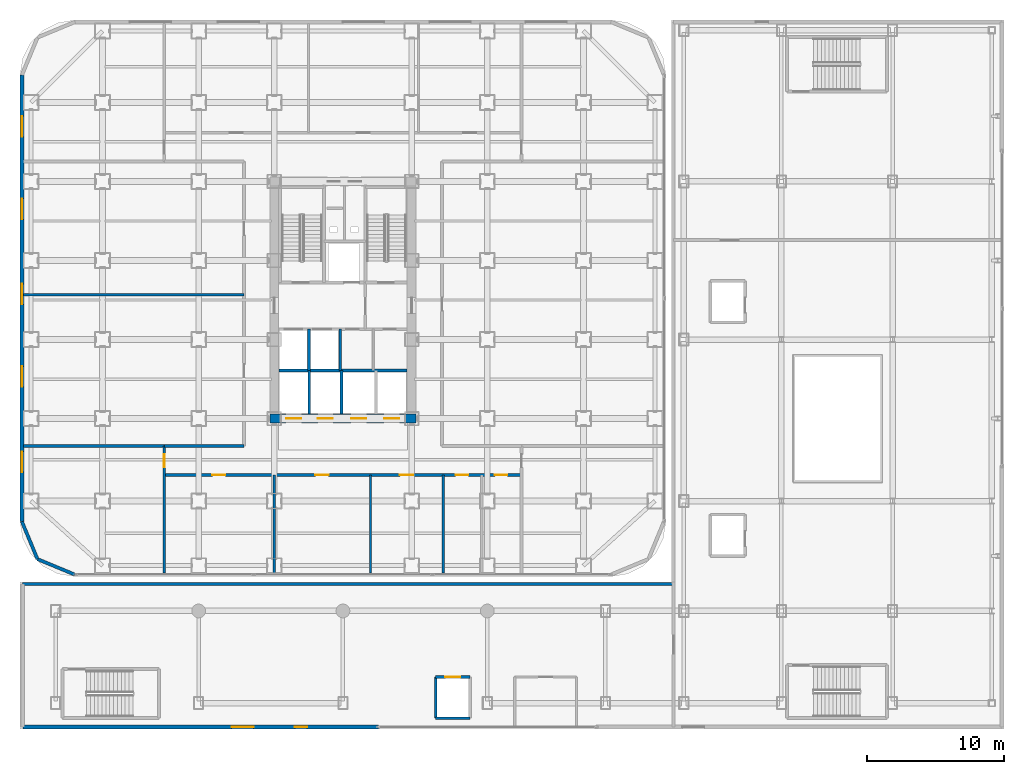
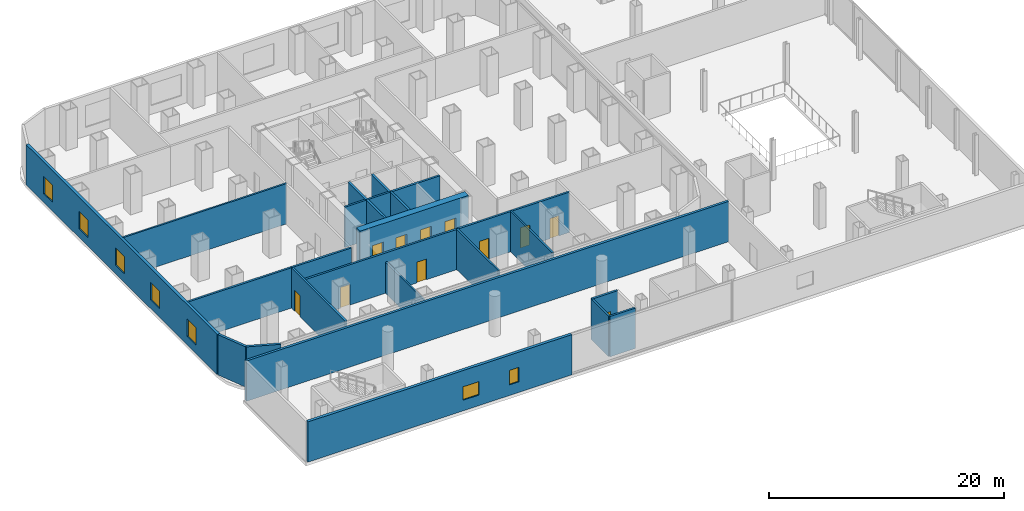
# One storey, part 19 of 27: 22 walls, 11 doors, 7 windows, 18 openings.
"""IFC4 building model written with IfcOpenShell, lengths in metres."""

from ifc_helpers import new_model, si_unit, direction, frame, frame_2d, origin, place, context, subcontext, project, spatial, rectangle, extrude, material, layer, layer_set, type_object, element, fill, save


model = new_model("IFC4")

# Units and contexts
model_context = context("Model", 3, precision=1e-05, world=origin(), true_north=direction((0.0, 1.0)))
body_context = subcontext(model_context, "Body", "Model", "MODEL_VIEW")
ifc_project = project(units=[si_unit("LENGTHUNIT", "METRE"), si_unit("AREAUNIT", "SQUARE_METRE"), si_unit("VOLUMEUNIT", "CUBIC_METRE"), si_unit("PLANEANGLEUNIT", "RADIAN"), si_unit("MASSUNIT", "GRAM", prefix="KILO")], contexts=[model_context])

# Site, building, storey
site_placement = place(None, origin())
site = spatial("IfcSite", under=ifc_project, at=site_placement, CompositionType="ELEMENT")
building_placement = place(site_placement, origin())
building = spatial("IfcBuilding", under=site, at=building_placement, Name="Kolveth Station Tower", CompositionType="ELEMENT")
storey_placement = place(building_placement, frame((0.0, 0.0, 13.5)))
storey = spatial("IfcBuildingStorey", under=building, at=storey_placement, Name="L03", CompositionType="ELEMENT", Elevation=13.5)

# Wall, openings, doors
ifc_material_1 = material(Name="Concrete C60/75", Category="concrete")
ifc_layer_1 = layer(ifc_material_1, 0.64990234375)
ifc_layer_set_1 = layer_set([ifc_layer_1], Name="Concrete C60/75")
wall_type_1 = type_object("IfcWallType", Name="Wall_CW-650", PredefinedType="SHEAR", material=ifc_layer_set_1)
wall_1_placement = place(storey_placement, frame((18.175048828125, 11.5, 0.0), z_axis=(0.0, 0.0, 1.0), x_axis=(1.0, 0.0, 0.0)))
wall_1 = element("IfcWall", 1, at=wall_1_placement, inside=storey, type_object=wall_type_1, Name="L03 Core RC Shear Wall S", PredefinedType="SHEAR", context=body_context, shape_type="SweptSolid", body=[
    extrude(rectangle(XDim=10.64990234375, YDim=0.64990234375, at=frame_2d((5.324951171875, 0.0))), origin(), (0.0, 0.0, 1.0), 4.179931640625),
])
opening_1_placement = place(wall_1_placement, frame((1.195068359375, 0.0, 0.0)))
opening_1 = element("IfcOpeningElement", 2, at=opening_1_placement, cuts=wall_1, Name="Opening LD1", PredefinedType="OPENING", context=body_context, shape_type="SweptSolid", body=[
    extrude(rectangle(XDim=1.10009765625, YDim=2.25, at=frame_2d((0.550048828125, 1.125))), frame((0.0, 0.3349609375, 0.0), z_axis=(0.0, -1.0, 0.0), x_axis=(1.0, 0.0, 0.0)), (0.0, 0.0, 1.0), 0.669921875),
])
opening_2_placement = place(wall_1_placement, frame((3.4951171875, 0.0, 0.0)))
opening_2 = element("IfcOpeningElement", 3, at=opening_2_placement, cuts=wall_1, Name="Opening LD1", PredefinedType="OPENING", context=body_context, shape_type="SweptSolid", body=[
    extrude(rectangle(XDim=1.10009765625, YDim=2.25, at=frame_2d((0.550048828125, 1.125))), frame((0.0, 0.3349609375, 0.0), z_axis=(0.0, -1.0, 0.0), x_axis=(1.0, 0.0, 0.0)), (0.0, 0.0, 1.0), 0.669921875),
])
opening_3_placement = place(wall_1_placement, frame((5.925048828125, 0.0, 0.0)))
opening_3 = element("IfcOpeningElement", 4, at=opening_3_placement, cuts=wall_1, Name="Opening LD1", PredefinedType="OPENING", context=body_context, shape_type="SweptSolid", body=[
    extrude(rectangle(XDim=1.10009765625, YDim=2.25, at=frame_2d((0.550048828125, 1.125))), frame((0.0, 0.3349609375, 0.0), z_axis=(0.0, -1.0, 0.0), x_axis=(1.0, 0.0, 0.0)), (0.0, 0.0, 1.0), 0.669921875),
])
opening_4_placement = place(wall_1_placement, frame((8.324951171875, 0.0, 0.0)))
opening_4 = element("IfcOpeningElement", 5, at=opening_4_placement, cuts=wall_1, Name="Opening LD1", PredefinedType="OPENING", context=body_context, shape_type="SweptSolid", body=[
    extrude(rectangle(XDim=1.10009765625, YDim=2.25, at=frame_2d((0.550048828125, 1.125))), frame((0.0, 0.3349609375, 0.0), z_axis=(0.0, -1.0, 0.0), x_axis=(1.0, 0.0, 0.0)), (0.0, 0.0, 1.0), 0.669921875),
])
ifc_material_2 = material(Name="Brushed stainless steel sliding landing doors", Category="steel")
door_type_1 = type_object("IfcDoorType", Name="Door_LD1", OperationType="NOTDEFINED", PredefinedType="DOOR", material=ifc_material_2)
door_1_placement = place(opening_1_placement, frame((1.10009765625, 0.0, 0.0), z_axis=(0.0, 0.0, 1.0), x_axis=(-1.0, 0.0, 0.0)))
door_1 = element("IfcDoor", 6, at=door_1_placement, inside=storey, type_object=door_type_1, Name="L03 Lift PL1 Landing Door", OperationType="DOUBLE_DOOR_SLIDING", OverallHeight=2.25, OverallWidth=1.10009765625, PredefinedType="DOOR", context=body_context, shape_type="SweptSolid", body=[
    extrude(rectangle(XDim=1.10009765625, YDim=2.25, at=frame_2d((0.550048828125, 1.125))), frame((0.0, 0.02490234375, 0.0), z_axis=(0.0, -1.0, 0.0), x_axis=(1.0, 0.0, 0.0)), (0.0, 0.0, 1.0), 0.050048828125),
])
fill(opening_1, door_1)
door_2_placement = place(opening_2_placement, frame((1.10009765625, 0.0, 0.0), z_axis=(0.0, 0.0, 1.0), x_axis=(-1.0, 0.0, 0.0)))
door_2 = element("IfcDoor", 7, at=door_2_placement, inside=storey, type_object=door_type_1, Name="L03 Lift PL2 Landing Door", OperationType="DOUBLE_DOOR_SLIDING", OverallHeight=2.25, OverallWidth=1.10009765625, PredefinedType="DOOR", context=body_context, shape_type="SweptSolid", body=[
    extrude(rectangle(XDim=1.10009765625, YDim=2.25, at=frame_2d((0.550048828125, 1.125))), frame((0.0, 0.02490234375, 0.0), z_axis=(0.0, -1.0, 0.0), x_axis=(1.0, 0.0, 0.0)), (0.0, 0.0, 1.0), 0.050048828125),
])
fill(opening_2, door_2)
door_3_placement = place(opening_3_placement, frame((1.10009765625, 0.0, 0.0), z_axis=(0.0, 0.0, 1.0), x_axis=(-1.0, 0.0, 0.0)))
door_3 = element("IfcDoor", 8, at=door_3_placement, inside=storey, type_object=door_type_1, Name="L03 Lift PM1 Landing Door", OperationType="DOUBLE_DOOR_SLIDING", OverallHeight=2.25, OverallWidth=1.10009765625, PredefinedType="DOOR", context=body_context, shape_type="SweptSolid", body=[
    extrude(rectangle(XDim=1.10009765625, YDim=2.25, at=frame_2d((0.550048828125, 1.125))), frame((0.0, 0.02490234375, 0.0), z_axis=(0.0, -1.0, 0.0), x_axis=(1.0, 0.0, 0.0)), (0.0, 0.0, 1.0), 0.050048828125),
])
fill(opening_3, door_3)
door_4_placement = place(opening_4_placement, frame((1.10009765625, 0.0, 0.0), z_axis=(0.0, 0.0, 1.0), x_axis=(-1.0, 0.0, 0.0)))
door_4 = element("IfcDoor", 9, at=door_4_placement, inside=storey, type_object=door_type_1, Name="L03 Lift PH1 Landing Door", OperationType="DOUBLE_DOOR_SLIDING", OverallHeight=2.25, OverallWidth=1.10009765625, PredefinedType="DOOR", context=body_context, shape_type="SweptSolid", body=[
    extrude(rectangle(XDim=1.10009765625, YDim=2.25, at=frame_2d((0.550048828125, 1.125))), frame((0.0, 0.02490234375, 0.0), z_axis=(0.0, -1.0, 0.0), x_axis=(1.0, 0.0, 0.0)), (0.0, 0.0, 1.0), 0.050048828125),
])
fill(opening_4, door_4)

# Walls
ifc_material_3 = material(Name="Precast concrete C40/50", Category="concrete")
ifc_layer_2 = layer(ifc_material_3, 0.239990234375)
ifc_layer_set_2 = layer_set([ifc_layer_2], Name="Precast concrete C40/50")
wall_type_2 = type_object("IfcWallType", Name="Wall_EW-240", PredefinedType="SOLIDWALL", material=ifc_layer_set_2)
for number, where, z_axis, x_axis, name in (
    (10, (0.139892578125, 4.0, 0.0), (0.0, 0.0, 1.0), (0.382689947836, -0.923876833688, 0.0), "L03 Podium Rounded Corner Wall 7"),
    (11, (1.2705078125, 1.2705078125, 0.0), (0.0, 0.0, 1.0), (0.923876833688, -0.382689947836, 0.0), "L03 Podium Rounded Corner Wall 8"),
):
    element("IfcWall", number, at=place(storey_placement, frame(where, z_axis=z_axis, x_axis=x_axis)), inside=storey, type_object=wall_type_2, Name=name, PredefinedType="SOLIDWALL", context=body_context, shape_type="SweptSolid", body=[
        extrude(rectangle(XDim=2.954345703125, YDim=0.239990234375, at=frame_2d((1.47705078125, 0.0))), origin(), (0.0, 0.0, 1.0), 4.179931640625),
    ])
wall_2_placement = place(storey_placement, frame((0.199951171875, -0.5400390625, 0.0), z_axis=(0.0, 0.0, 1.0), x_axis=(1.0, 0.0, 0.0)))
element("IfcWall", 12, at=wall_2_placement, inside=storey, type_object=wall_type_2, Name="L03 Station Exterior Wall JS", PredefinedType="SOLIDWALL", context=body_context, shape_type="SweptSolid", body=[
    extrude(rectangle(XDim=47.340087890625, YDim=0.239990234375, at=frame_2d((23.669921875, 0.0))), origin(), (0.0, 0.0, 1.0), 4.179931640625),
])

# Wall, openings, windows
ifc_layer_3 = layer(ifc_material_3, 0.280029296875)
ifc_layer_set_3 = layer_set([ifc_layer_3], Name="Precast concrete C40/50")
wall_type_3 = type_object("IfcWallType", Name="Wall_EW-280", PredefinedType="SOLIDWALL", material=ifc_layer_set_3)
wall_3_placement = place(storey_placement, frame((0.139892578125, 4.0, 0.0), z_axis=(0.0, 0.0, 1.0), x_axis=(0.0, 1.0, 0.0)))
wall_3 = element("IfcWall", 13, at=wall_3_placement, inside=storey, type_object=wall_type_3, Name="L03 Tower Podium West Exterior Wall", PredefinedType="SOLIDWALL", context=body_context, shape_type="SweptSolid", body=[
    extrude(rectangle(XDim=32.5, YDim=0.280029296875, at=frame_2d((16.25, 0.0))), origin(), (0.0, 0.0, 1.0), 4.179931640625),
])
opening_5_placement = place(wall_3_placement, frame((3.60009765625, 0.0, 0.89990234375)))
opening_5 = element("IfcOpeningElement", 14, at=opening_5_placement, cuts=wall_3, Name="Opening W3", PredefinedType="OPENING", context=body_context, shape_type="SweptSolid", body=[
    extrude(rectangle(XDim=1.5, YDim=1.800048828125, at=frame_2d((0.75, 0.89990234375))), frame((0.0, 0.14990234375, 0.0), z_axis=(0.0, -1.0, 0.0), x_axis=(1.0, 0.0, 0.0)), (0.0, 0.0, 1.0), 0.300048828125),
])
opening_6_placement = place(wall_3_placement, frame((9.800048828125, 0.0, 0.89990234375)))
opening_6 = element("IfcOpeningElement", 15, at=opening_6_placement, cuts=wall_3, Name="Opening W3", PredefinedType="OPENING", context=body_context, shape_type="SweptSolid", body=[
    extrude(rectangle(XDim=1.5, YDim=1.800048828125, at=frame_2d((0.75, 0.89990234375))), frame((0.0, 0.14990234375, 0.0), z_axis=(0.0, -1.0, 0.0), x_axis=(1.0, 0.0, 0.0)), (0.0, 0.0, 1.0), 0.300048828125),
])
opening_7_placement = place(wall_3_placement, frame((15.800048828125, 0.0, 0.89990234375)))
opening_7 = element("IfcOpeningElement", 16, at=opening_7_placement, cuts=wall_3, Name="Opening W3", PredefinedType="OPENING", context=body_context, shape_type="SweptSolid", body=[
    extrude(rectangle(XDim=1.5, YDim=1.800048828125, at=frame_2d((0.75, 0.89990234375))), frame((0.0, 0.14990234375, 0.0), z_axis=(0.0, -1.0, 0.0), x_axis=(1.0, 0.0, 0.0)), (0.0, 0.0, 1.0), 0.300048828125),
])
opening_8_placement = place(wall_3_placement, frame((22.0, 0.0, 0.89990234375)))
opening_8 = element("IfcOpeningElement", 17, at=opening_8_placement, cuts=wall_3, Name="Opening W3", PredefinedType="OPENING", context=body_context, shape_type="SweptSolid", body=[
    extrude(rectangle(XDim=1.5, YDim=1.800048828125, at=frame_2d((0.75, 0.89990234375))), frame((0.0, 0.14990234375, 0.0), z_axis=(0.0, -1.0, 0.0), x_axis=(1.0, 0.0, 0.0)), (0.0, 0.0, 1.0), 0.300048828125),
])
opening_9_placement = place(wall_3_placement, frame((28.0, 0.0, 0.89990234375)))
opening_9 = element("IfcOpeningElement", 18, at=opening_9_placement, cuts=wall_3, Name="Opening W3", PredefinedType="OPENING", context=body_context, shape_type="SweptSolid", body=[
    extrude(rectangle(XDim=1.5, YDim=1.800048828125, at=frame_2d((0.75, 0.89990234375))), frame((0.0, 0.14990234375, 0.0), z_axis=(0.0, -1.0, 0.0), x_axis=(1.0, 0.0, 0.0)), (0.0, 0.0, 1.0), 0.300048828125),
])
ifc_material_4 = material(Name="Black anodized aluminium 6063-T6 and low-E dark glass", Category="aluminium")
window_type_1 = type_object("IfcWindowType", Name="Win_W3", PartitioningType="SINGLE_PANEL", PredefinedType="WINDOW", material=ifc_material_4)
window_1_placement = place(opening_5_placement, origin())
window_1 = element("IfcWindow", 19, at=window_1_placement, inside=storey, type_object=window_type_1, Name="L03 Tower Podium West Window 1", OverallHeight=1.800048828125, OverallWidth=1.5, PartitioningType="SINGLE_PANEL", PredefinedType="WINDOW", context=body_context, shape_type="SweptSolid", body=[
    extrude(rectangle(XDim=1.5, YDim=1.800048828125, at=frame_2d((0.75, 0.89990234375))), frame((0.0, 0.030029296875, 0.0), z_axis=(0.0, -1.0, 0.0), x_axis=(1.0, 0.0, 0.0)), (0.0, 0.0, 1.0), 0.06005859375),
])
fill(opening_5, window_1)
window_2_placement = place(opening_6_placement, origin())
window_2 = element("IfcWindow", 20, at=window_2_placement, inside=storey, type_object=window_type_1, Name="L03 Tower Podium West Window 2", OverallHeight=1.800048828125, OverallWidth=1.5, PartitioningType="SINGLE_PANEL", PredefinedType="WINDOW", context=body_context, shape_type="SweptSolid", body=[
    extrude(rectangle(XDim=1.5, YDim=1.800048828125, at=frame_2d((0.75, 0.89990234375))), frame((0.0, 0.030029296875, 0.0), z_axis=(0.0, -1.0, 0.0), x_axis=(1.0, 0.0, 0.0)), (0.0, 0.0, 1.0), 0.06005859375),
])
fill(opening_6, window_2)
window_3_placement = place(opening_7_placement, origin())
window_3 = element("IfcWindow", 21, at=window_3_placement, inside=storey, type_object=window_type_1, Name="L03 Tower Podium West Window 3", OverallHeight=1.800048828125, OverallWidth=1.5, PartitioningType="SINGLE_PANEL", PredefinedType="WINDOW", context=body_context, shape_type="SweptSolid", body=[
    extrude(rectangle(XDim=1.5, YDim=1.800048828125, at=frame_2d((0.75, 0.89990234375))), frame((0.0, 0.030029296875, 0.0), z_axis=(0.0, -1.0, 0.0), x_axis=(1.0, 0.0, 0.0)), (0.0, 0.0, 1.0), 0.06005859375),
])
fill(opening_7, window_3)
window_4_placement = place(opening_8_placement, origin())
window_4 = element("IfcWindow", 22, at=window_4_placement, inside=storey, type_object=window_type_1, Name="L03 Tower Podium West Window 4", OverallHeight=1.800048828125, OverallWidth=1.5, PartitioningType="SINGLE_PANEL", PredefinedType="WINDOW", context=body_context, shape_type="SweptSolid", body=[
    extrude(rectangle(XDim=1.5, YDim=1.800048828125, at=frame_2d((0.75, 0.89990234375))), frame((0.0, 0.030029296875, 0.0), z_axis=(0.0, -1.0, 0.0), x_axis=(1.0, 0.0, 0.0)), (0.0, 0.0, 1.0), 0.06005859375),
])
fill(opening_8, window_4)
window_5_placement = place(opening_9_placement, origin())
window_5 = element("IfcWindow", 23, at=window_5_placement, inside=storey, type_object=window_type_1, Name="L03 Tower Podium West Window 5", OverallHeight=1.800048828125, OverallWidth=1.5, PartitioningType="SINGLE_PANEL", PredefinedType="WINDOW", context=body_context, shape_type="SweptSolid", body=[
    extrude(rectangle(XDim=1.5, YDim=1.800048828125, at=frame_2d((0.75, 0.89990234375))), frame((0.0, 0.030029296875, 0.0), z_axis=(0.0, -1.0, 0.0), x_axis=(1.0, 0.0, 0.0)), (0.0, 0.0, 1.0), 0.06005859375),
])
fill(opening_9, window_5)

wall_4_placement = place(storey_placement, frame((0.199951171875, -10.949951171875, 0.0), z_axis=(0.0, 0.0, 1.0), x_axis=(1.0, 0.0, 0.0)))
wall_4 = element("IfcWall", 24, at=wall_4_placement, inside=storey, type_object=wall_type_3, Name="L03 Station Exterior Wall S1", PredefinedType="SOLIDWALL", context=body_context, shape_type="SweptSolid", body=[
    extrude(rectangle(XDim=25.900146484375, YDim=0.280029296875, at=frame_2d((12.9501953125, 0.0))), origin(), (0.0, 0.0, 1.0), 4.179931640625),
])
opening_10_placement = place(wall_4_placement, frame((15.199951171875, 0.0, 1.10009765625)))
opening_10 = element("IfcOpeningElement", 25, at=opening_10_placement, cuts=wall_4, Name="Opening W7", PredefinedType="OPENING", context=body_context, shape_type="SweptSolid", body=[
    extrude(rectangle(XDim=1.60009765625, YDim=1.39990234375, at=frame_2d((0.800048828125, 0.699951171875))), frame((0.0, 0.14990234375, 0.0), z_axis=(0.0, -1.0, 0.0), x_axis=(1.0, 0.0, 0.0)), (0.0, 0.0, 1.0), 0.300048828125),
])
opening_11_placement = place(wall_4_placement, frame((19.800048828125, 0.0, 1.10009765625)))
opening_11 = element("IfcOpeningElement", 26, at=opening_11_placement, cuts=wall_4, Name="Opening W8", PredefinedType="OPENING", context=body_context, shape_type="SweptSolid", body=[
    extrude(rectangle(XDim=0.89990234375, YDim=1.5, at=frame_2d((0.449951171875, 0.75))), frame((0.0, 0.14990234375, 0.0), z_axis=(0.0, -1.0, 0.0), x_axis=(1.0, 0.0, 0.0)), (0.0, 0.0, 1.0), 0.300048828125),
])
ifc_material_5 = material(Name="Black anodized aluminium 6063-T6 and triple low-E glass", Category="aluminium")
window_type_2 = type_object("IfcWindowType", Name="Win_W7", PartitioningType="SINGLE_PANEL", PredefinedType="WINDOW", material=ifc_material_5)
window_6_placement = place(opening_10_placement, origin())
window_6 = element("IfcWindow", 27, at=window_6_placement, inside=storey, type_object=window_type_2, Name="L03 Station Hall Window 1", OverallHeight=1.39990234375, OverallWidth=1.60009765625, PartitioningType="SINGLE_PANEL", PredefinedType="WINDOW", context=body_context, shape_type="SweptSolid", body=[
    extrude(rectangle(XDim=1.60009765625, YDim=1.39990234375, at=frame_2d((0.800048828125, 0.699951171875))), frame((0.0, 0.030029296875, 0.0), z_axis=(0.0, -1.0, 0.0), x_axis=(1.0, 0.0, 0.0)), (0.0, 0.0, 1.0), 0.06005859375),
])
fill(opening_10, window_6)
ifc_material_6 = material(Name="Black anodized aluminium 6063-T6 and frosted glass", Category="aluminium")
window_type_3 = type_object("IfcWindowType", Name="Win_W8", PartitioningType="SINGLE_PANEL", PredefinedType="WINDOW", material=ifc_material_6)
window_7_placement = place(opening_11_placement, origin())
window_7 = element("IfcWindow", 28, at=window_7_placement, inside=storey, type_object=window_type_3, Name="L03 Station Hall Window 2", OverallHeight=1.5, OverallWidth=0.89990234375, PartitioningType="SINGLE_PANEL", PredefinedType="WINDOW", context=body_context, shape_type="SweptSolid", body=[
    extrude(rectangle(XDim=0.89990234375, YDim=1.5, at=frame_2d((0.449951171875, 0.75))), frame((0.0, 0.030029296875, 0.0), z_axis=(0.0, -1.0, 0.0), x_axis=(1.0, 0.0, 0.0)), (0.0, 0.0, 1.0), 0.06005859375),
])
fill(opening_11, window_7)

# Walls
ifc_material_7 = material(Name="Acoustic double-stud gypsum partition")
ifc_layer_4 = layer(ifc_material_7, 0.1650390625)
ifc_layer_set_4 = layer_set([ifc_layer_4], Name="Acoustic double-stud gypsum partition")
wall_type_4 = type_object("IfcWallType", Name="Wall_IW-165", PredefinedType="PARTITIONING", material=ifc_layer_set_4)
wall_5_placement = place(storey_placement, frame((18.5, 0.25, 0.0), z_axis=(0.0, 0.0, 1.0), x_axis=(0.0, 1.0, 0.0)))
element("IfcWall", 29, at=wall_5_placement, inside=storey, type_object=wall_type_4, Name="L03 Partition Wall WL-L03-TPS-P1", PredefinedType="PARTITIONING", context=body_context, shape_type="SweptSolid", body=[
    extrude(rectangle(XDim=7.14990234375, YDim=0.1650390625, at=frame_2d((3.574951171875, 0.0))), origin(), (0.0, 0.0, 1.0), 3.2529296875),
])
for number, where, z_axis, x_axis, name in (
    (30, (25.5, 0.25, 0.0), (0.0, 0.0, 1.0), (0.0, 1.0, 0.0), "L03 Partition Wall WL-L03-TPS-P2"),
    (31, (30.800048828125, 0.25, 0.0), (0.0, 0.0, 1.0), (0.0, 1.0, 0.0), "L03 Partition Wall WL-L03-TPS-P3"),
):
    element("IfcWall", number, at=place(storey_placement, frame(where, z_axis=z_axis, x_axis=x_axis)), inside=storey, type_object=wall_type_4, Name=name, PredefinedType="PARTITIONING", context=body_context, shape_type="SweptSolid", body=[
        extrude(rectangle(XDim=7.14990234375, YDim=0.1650390625, at=frame_2d((3.574951171875, 0.0))), origin(), (0.0, 0.0, 1.0), 4.179931640625),
    ])
wall_6_placement = place(storey_placement, frame((0.25, 20.5, 0.0), z_axis=(0.0, 0.0, 1.0), x_axis=(1.0, 0.0, 0.0)))
element("IfcWall", 32, at=wall_6_placement, inside=storey, type_object=wall_type_4, Name="L03 Partition Wall WL-L03-TPW-P1", PredefinedType="PARTITIONING", context=body_context, shape_type="SweptSolid", body=[
    extrude(rectangle(XDim=16.050048828125, YDim=0.1650390625, at=frame_2d((8.02490234375, 0.0))), origin(), (0.0, 0.0, 1.0), 4.179931640625),
])
ifc_material_8 = material(Name="Acoustic fire-rated gypsum blockwork", Category="masonry")
ifc_layer_5 = layer(ifc_material_8, 0.199951171875)
ifc_layer_set_5 = layer_set([ifc_layer_5], Name="Acoustic fire-rated gypsum blockwork")
wall_type_5 = type_object("IfcWallType", Name="Wall_IW-200", PredefinedType="PARTITIONING", material=ifc_layer_set_5)
for number, where, z_axis, x_axis, name in (
    (33, (21.02001953125, 15.0, 0.0), (0.0, 0.0, 1.0), (0.0, 1.0, 0.0), "L03 Partition Wall WL-L03-FF12"),
    (34, (23.300048828125, 15.0, 0.0), (0.0, 0.0, 1.0), (0.0, 1.0, 0.0), "L03 Partition Wall WL-L03-FF2E"),
):
    element("IfcWall", number, at=place(storey_placement, frame(where, z_axis=z_axis, x_axis=x_axis)), inside=storey, type_object=wall_type_5, Name=name, PredefinedType="PARTITIONING", context=body_context, shape_type="SweptSolid", body=[
        extrude(rectangle(XDim=3.0, YDim=0.199951171875, at=frame_2d((1.5, 0.0))), origin(), (0.0, 0.0, 1.0), 4.179931640625),
    ])
wall_7_placement = place(storey_placement, frame((18.8349609375, 15.0, 0.0), z_axis=(0.0, 0.0, 1.0), x_axis=(1.0, 0.0, 0.0)))
element("IfcWall", 35, at=wall_7_placement, inside=storey, type_object=wall_type_5, Name="L03 Partition Wall WL-L03-BOH-S", PredefinedType="PARTITIONING", context=body_context, shape_type="SweptSolid", body=[
    extrude(rectangle(XDim=9.330078125, YDim=0.199951171875, at=frame_2d((4.6650390625, 0.0))), origin(), (0.0, 0.0, 1.0), 4.179931640625),
])
for number, where, z_axis, x_axis, name in (
    (36, (21.050048828125, 11.8349609375, 0.0), (0.0, 0.0, 1.0), (0.0, 1.0, 0.0), "L03 Partition Wall WL-L03-PL12"),
    (37, (23.39990234375, 11.8349609375, 0.0), (0.0, 0.0, 1.0), (0.0, 1.0, 0.0), "L03 Partition Wall WL-L03-PL2E"),
):
    element("IfcWall", number, at=place(storey_placement, frame(where, z_axis=z_axis, x_axis=x_axis)), inside=storey, type_object=wall_type_5, Name=name, PredefinedType="PARTITIONING", context=body_context, shape_type="SweptSolid", body=[
        extrude(rectangle(XDim=3.1650390625, YDim=0.199951171875, at=frame_2d((1.58251953125, 0.0))), origin(), (0.0, 0.0, 1.0), 4.179931640625),
    ])

# Wall, openings, doors
wall_8_placement = place(storey_placement, frame((10.5, 7.39990234375, 0.0), z_axis=(0.0, 0.0, 1.0), x_axis=(1.0, 0.0, 0.0)))
wall_8 = element("IfcWall", 38, at=wall_8_placement, inside=storey, type_object=wall_type_5, Name="L03 Partition Wall WL-L03-BS", PredefinedType="PARTITIONING", context=body_context, shape_type="SweptSolid", body=[
    extrude(rectangle(XDim=26.0, YDim=0.199951171875, at=frame_2d((13.0, 0.0))), origin(), (0.0, 0.0, 1.0), 4.179931640625),
])
opening_12_placement = place(wall_8_placement, frame((3.5, 0.0, 0.0)))
opening_12 = element("IfcOpeningElement", 39, at=opening_12_placement, cuts=wall_8, Name="Opening ID1", PredefinedType="OPENING", context=body_context, shape_type="SweptSolid", body=[
    extrude(rectangle(XDim=0.949951171875, YDim=2.14990234375, at=frame_2d((0.47509765625, 1.074951171875))), frame((0.0, 0.10986328125, 0.0), z_axis=(0.0, -1.0, 0.0), x_axis=(1.0, 0.0, 0.0)), (0.0, 0.0, 1.0), 0.219970703125),
])
opening_13_placement = place(wall_8_placement, frame((11.0, 0.0, 0.0)))
opening_13 = element("IfcOpeningElement", 40, at=opening_13_placement, cuts=wall_8, Name="Opening ID1", PredefinedType="OPENING", context=body_context, shape_type="SweptSolid", body=[
    extrude(rectangle(XDim=0.949951171875, YDim=2.14990234375, at=frame_2d((0.47509765625, 1.074951171875))), frame((0.0, 0.10986328125, 0.0), z_axis=(0.0, -1.0, 0.0), x_axis=(1.0, 0.0, 0.0)), (0.0, 0.0, 1.0), 0.219970703125),
])
opening_14_placement = place(wall_8_placement, frame((17.14990234375, 0.0, 0.0)))
opening_14 = element("IfcOpeningElement", 41, at=opening_14_placement, cuts=wall_8, Name="Opening ID1", PredefinedType="OPENING", context=body_context, shape_type="SweptSolid", body=[
    extrude(rectangle(XDim=0.949951171875, YDim=2.14990234375, at=frame_2d((0.47509765625, 1.074951171875))), frame((0.0, 0.10986328125, 0.0), z_axis=(0.0, -1.0, 0.0), x_axis=(1.0, 0.0, 0.0)), (0.0, 0.0, 1.0), 0.219970703125),
])
opening_15_placement = place(wall_8_placement, frame((21.199951171875, 0.0, 0.0)))
opening_15 = element("IfcOpeningElement", 42, at=opening_15_placement, cuts=wall_8, Name="Opening ID2", PredefinedType="OPENING", context=body_context, shape_type="SweptSolid", body=[
    extrude(rectangle(XDim=0.919921875, YDim=2.10009765625, at=frame_2d((0.4599609375, 1.050048828125))), frame((0.0, 0.10986328125, 0.0), z_axis=(0.0, -1.0, 0.0), x_axis=(1.0, 0.0, 0.0)), (0.0, 0.0, 1.0), 0.219970703125),
])
opening_16_placement = place(wall_8_placement, frame((24.050048828125, 0.0, 0.0)))
opening_16 = element("IfcOpeningElement", 43, at=opening_16_placement, cuts=wall_8, Name="Opening ID2", PredefinedType="OPENING", context=body_context, shape_type="SweptSolid", body=[
    extrude(rectangle(XDim=0.919921875, YDim=2.10009765625, at=frame_2d((0.4599609375, 1.050048828125))), frame((0.0, 0.10986328125, 0.0), z_axis=(0.0, -1.0, 0.0), x_axis=(1.0, 0.0, 0.0)), (0.0, 0.0, 1.0), 0.219970703125),
])
ifc_material_9 = material(Name="Acoustic hardwood leaf and aluminium frame", Category="wood")
door_type_2 = type_object("IfcDoorType", Name="Door_ID1", OperationType="NOTDEFINED", PredefinedType="DOOR", material=ifc_material_9)
door_5_placement = place(opening_12_placement, frame((0.949951171875, 0.0, 0.0), z_axis=(0.0, 0.0, 1.0), x_axis=(-1.0, 0.0, 0.0)))
door_5 = element("IfcDoor", 44, at=door_5_placement, inside=storey, type_object=door_type_2, Name="L03 Wellness Treatment Room 1 Door", OperationType="SINGLE_SWING_RIGHT", OverallHeight=2.14990234375, OverallWidth=0.949951171875, PredefinedType="DOOR", context=body_context, shape_type="SweptSolid", body=[
    extrude(rectangle(XDim=0.949951171875, YDim=2.14990234375, at=frame_2d((0.47509765625, 1.074951171875))), frame((0.0, 0.02490234375, 0.0), z_axis=(0.0, -1.0, 0.0), x_axis=(1.0, 0.0, 0.0)), (0.0, 0.0, 1.0), 0.050048828125),
])
fill(opening_12, door_5)
door_6_placement = place(opening_13_placement, frame((0.949951171875, 0.0, 0.0), z_axis=(0.0, 0.0, 1.0), x_axis=(-1.0, 0.0, 0.0)))
door_6 = element("IfcDoor", 45, at=door_6_placement, inside=storey, type_object=door_type_2, Name="L03 Wellness Treatment Room 2 Door", OperationType="SINGLE_SWING_LEFT", OverallHeight=2.14990234375, OverallWidth=0.949951171875, PredefinedType="DOOR", context=body_context, shape_type="SweptSolid", body=[
    extrude(rectangle(XDim=0.949951171875, YDim=2.14990234375, at=frame_2d((0.47509765625, 1.074951171875))), frame((0.0, 0.02490234375, 0.0), z_axis=(0.0, -1.0, 0.0), x_axis=(1.0, 0.0, 0.0)), (0.0, 0.0, 1.0), 0.050048828125),
])
fill(opening_13, door_6)
door_7_placement = place(opening_14_placement, frame((0.949951171875, 0.0, 0.0), z_axis=(0.0, 0.0, 1.0), x_axis=(-1.0, 0.0, 0.0)))
door_7 = element("IfcDoor", 46, at=door_7_placement, inside=storey, type_object=door_type_2, Name="L03 Podium Catering Pantry Door", OperationType="SINGLE_SWING_RIGHT", OverallHeight=2.14990234375, OverallWidth=0.949951171875, PredefinedType="DOOR", context=body_context, shape_type="SweptSolid", body=[
    extrude(rectangle(XDim=0.949951171875, YDim=2.14990234375, at=frame_2d((0.47509765625, 1.074951171875))), frame((0.0, 0.02490234375, 0.0), z_axis=(0.0, -1.0, 0.0), x_axis=(1.0, 0.0, 0.0)), (0.0, 0.0, 1.0), 0.050048828125),
])
fill(opening_14, door_7)
ifc_material_10 = material(Name="Moisture-resistant hardwood leaf", Category="wood")
door_type_3 = type_object("IfcDoorType", Name="Door_ID2", OperationType="NOTDEFINED", PredefinedType="DOOR", material=ifc_material_10)
door_8_placement = place(opening_15_placement, frame((0.919921875, 0.0, 0.0), z_axis=(0.0, 0.0, 1.0), x_axis=(-1.0, 0.0, 0.0)))
door_8 = element("IfcDoor", 47, at=door_8_placement, inside=storey, type_object=door_type_3, Name="L03 Podium Public Toilet Door", OperationType="SINGLE_SWING_LEFT", OverallHeight=2.10009765625, OverallWidth=0.919921875, PredefinedType="DOOR", context=body_context, shape_type="SweptSolid", body=[
    extrude(rectangle(XDim=0.919921875, YDim=2.10009765625, at=frame_2d((0.4599609375, 1.050048828125))), frame((0.0, 0.02490234375, 0.0), z_axis=(0.0, -1.0, 0.0), x_axis=(1.0, 0.0, 0.0)), (0.0, 0.0, 1.0), 0.050048828125),
])
fill(opening_15, door_8)
door_9_placement = place(opening_16_placement, frame((0.919921875, 0.0, 0.0), z_axis=(0.0, 0.0, 1.0), x_axis=(-1.0, 0.0, 0.0)))
door_9 = element("IfcDoor", 48, at=door_9_placement, inside=storey, type_object=door_type_3, Name="L03 Accessible Podium WC Door", OperationType="SINGLE_SWING_RIGHT", OverallHeight=2.10009765625, OverallWidth=0.919921875, PredefinedType="DOOR", context=body_context, shape_type="SweptSolid", body=[
    extrude(rectangle(XDim=0.919921875, YDim=2.10009765625, at=frame_2d((0.4599609375, 1.050048828125))), frame((0.0, 0.02490234375, 0.0), z_axis=(0.0, -1.0, 0.0), x_axis=(1.0, 0.0, 0.0)), (0.0, 0.0, 1.0), 0.050048828125),
])
fill(opening_16, door_9)

# Wall
wall_9_placement = place(storey_placement, frame((10.5, 9.5, 0.0), z_axis=(0.0, 0.0, 1.0), x_axis=(1.0, 0.0, 0.0)))
element("IfcWall", 49, at=wall_9_placement, inside=storey, type_object=wall_type_5, Name="L03 Partition Wall WL-L03-BSWT", PredefinedType="PARTITIONING", context=body_context, shape_type="SweptSolid", body=[
    extrude(rectangle(XDim=5.800048828125, YDim=0.199951171875, at=frame_2d((2.89990234375, 0.0))), origin(), (0.0, 0.0, 1.0), 4.179931640625),
])

# Wall, opening, door
wall_10_placement = place(storey_placement, frame((10.5, 0.25, 0.0), z_axis=(0.0, 0.0, 1.0), x_axis=(0.0, 1.0, 0.0)))
wall_10 = element("IfcWall", 50, at=wall_10_placement, inside=storey, type_object=wall_type_5, Name="L03 Partition Wall WL-L03-BWS", PredefinedType="PARTITIONING", context=body_context, shape_type="SweptSolid", body=[
    extrude(rectangle(XDim=9.25, YDim=0.199951171875, at=frame_2d((4.625, 0.0))), origin(), (0.0, 0.0, 1.0), 4.179931640625),
])
opening_17_placement = place(wall_10_placement, frame((7.699951171875, 0.0, 0.0)))
opening_17 = element("IfcOpeningElement", 51, at=opening_17_placement, cuts=wall_10, Name="Opening ID1", PredefinedType="OPENING", context=body_context, shape_type="SweptSolid", body=[
    extrude(rectangle(XDim=0.949951171875, YDim=2.14990234375, at=frame_2d((0.47509765625, 1.074951171875))), frame((0.0, 0.10986328125, 0.0), z_axis=(0.0, -1.0, 0.0), x_axis=(1.0, 0.0, 0.0)), (0.0, 0.0, 1.0), 0.219970703125),
])
door_10_placement = place(opening_17_placement, frame((0.949951171875, 0.0, 0.0), z_axis=(0.0, 0.0, 1.0), x_axis=(-1.0, 0.0, 0.0)))
door_10 = element("IfcDoor", 52, at=door_10_placement, inside=storey, type_object=door_type_2, Name="L03 Podium Clinic Office CSW Door", OperationType="SINGLE_SWING_LEFT", OverallHeight=2.14990234375, OverallWidth=0.949951171875, PredefinedType="DOOR", context=body_context, shape_type="SweptSolid", body=[
    extrude(rectangle(XDim=0.949951171875, YDim=2.14990234375, at=frame_2d((0.47509765625, 1.074951171875))), frame((0.0, 0.02490234375, 0.0), z_axis=(0.0, -1.0, 0.0), x_axis=(1.0, 0.0, 0.0)), (0.0, 0.0, 1.0), 0.050048828125),
])
fill(opening_17, door_10)

# Walls
wall_11_placement = place(storey_placement, frame((0.25, 9.5, 0.0), z_axis=(0.0, 0.0, 1.0), x_axis=(1.0, 0.0, 0.0)))
element("IfcWall", 53, at=wall_11_placement, inside=storey, type_object=wall_type_5, Name="L03 Partition Wall WL-L03-BWM1", PredefinedType="PARTITIONING", context=body_context, shape_type="SweptSolid", body=[
    extrude(rectangle(XDim=10.25, YDim=0.199951171875, at=frame_2d((5.125, 0.0))), origin(), (0.0, 0.0, 1.0), 4.179931640625),
])
wall_12_placement = place(storey_placement, frame((30.25, -10.300048828125, 0.0), z_axis=(0.0, 0.0, 1.0), x_axis=(1.0, 0.0, 0.0)))
element("IfcWall", 54, at=wall_12_placement, inside=storey, type_object=wall_type_5, Name="L03 Partition Wall WL-L03-SL3-S", PredefinedType="PARTITIONING", context=body_context, shape_type="SweptSolid", body=[
    extrude(rectangle(XDim=2.5, YDim=0.199951171875, at=frame_2d((1.25, 0.0))), origin(), (0.0, 0.0, 1.0), 4.179931640625),
])

# Wall, opening, door
wall_13_placement = place(storey_placement, frame((30.25, -7.300048828125, 0.0), z_axis=(0.0, 0.0, 1.0), x_axis=(1.0, 0.0, 0.0)))
wall_13 = element("IfcWall", 55, at=wall_13_placement, inside=storey, type_object=wall_type_5, Name="L03 Partition Wall WL-L03-SL3-N", PredefinedType="PARTITIONING", context=body_context, shape_type="SweptSolid", body=[
    extrude(rectangle(XDim=2.5, YDim=0.199951171875, at=frame_2d((1.25, 0.0))), origin(), (0.0, 0.0, 1.0), 4.179931640625),
])
opening_18_placement = place(wall_13_placement, frame((0.699951171875, 0.0, 0.0)))
opening_18 = element("IfcOpeningElement", 56, at=opening_18_placement, cuts=wall_13, Name="Opening LD1", PredefinedType="OPENING", context=body_context, shape_type="SweptSolid", body=[
    extrude(rectangle(XDim=1.10009765625, YDim=2.25, at=frame_2d((0.550048828125, 1.125))), frame((0.0, 0.10986328125, 0.0), z_axis=(0.0, -1.0, 0.0), x_axis=(1.0, 0.0, 0.0)), (0.0, 0.0, 1.0), 0.219970703125),
])
door_11_placement = place(opening_18_placement, origin())
door_11 = element("IfcDoor", 57, at=door_11_placement, inside=storey, type_object=door_type_1, Name="L03 Station Lift SL3 Landing Door", OperationType="DOUBLE_DOOR_SLIDING", OverallHeight=2.25, OverallWidth=1.10009765625, PredefinedType="DOOR", context=body_context, shape_type="SweptSolid", body=[
    extrude(rectangle(XDim=1.10009765625, YDim=2.25, at=frame_2d((0.550048828125, 1.125))), frame((0.0, 0.02490234375, 0.0), z_axis=(0.0, -1.0, 0.0), x_axis=(1.0, 0.0, 0.0)), (0.0, 0.0, 1.0), 0.050048828125),
])
fill(opening_18, door_11)

# Wall
wall_14_placement = place(storey_placement, frame((30.25, -10.300048828125, 0.0), z_axis=(0.0, 0.0, 1.0), x_axis=(0.0, 1.0, 0.0)))
element("IfcWall", 58, at=wall_14_placement, inside=storey, type_object=wall_type_5, Name="L03 Partition Wall WL-L03-SL3-W", PredefinedType="PARTITIONING", context=body_context, shape_type="SweptSolid", body=[
    extrude(rectangle(XDim=3.0, YDim=0.199951171875, at=frame_2d((1.5, 0.0))), origin(), (0.0, 0.0, 1.0), 4.179931640625),
])

save(model, "model.ifc")
